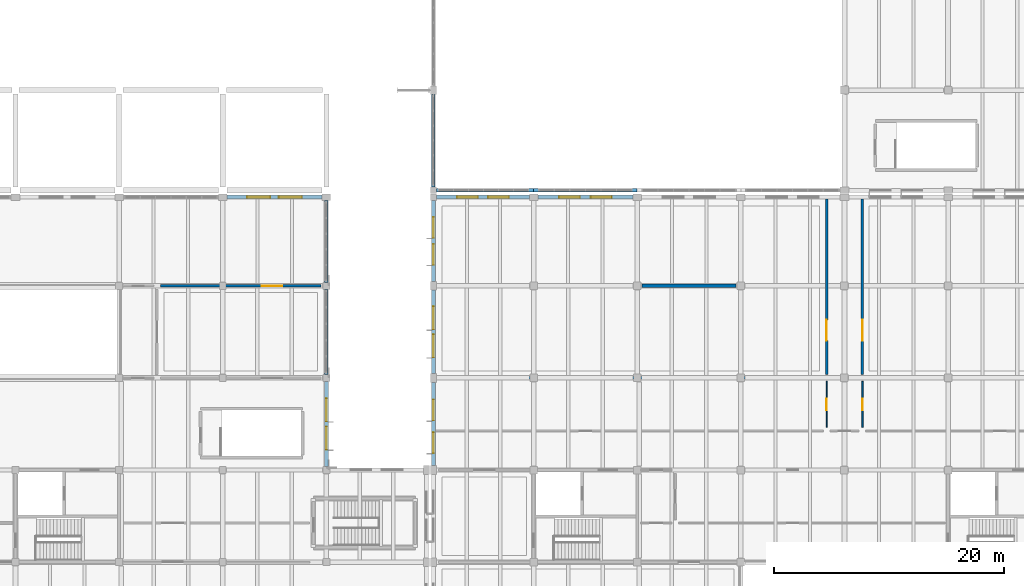
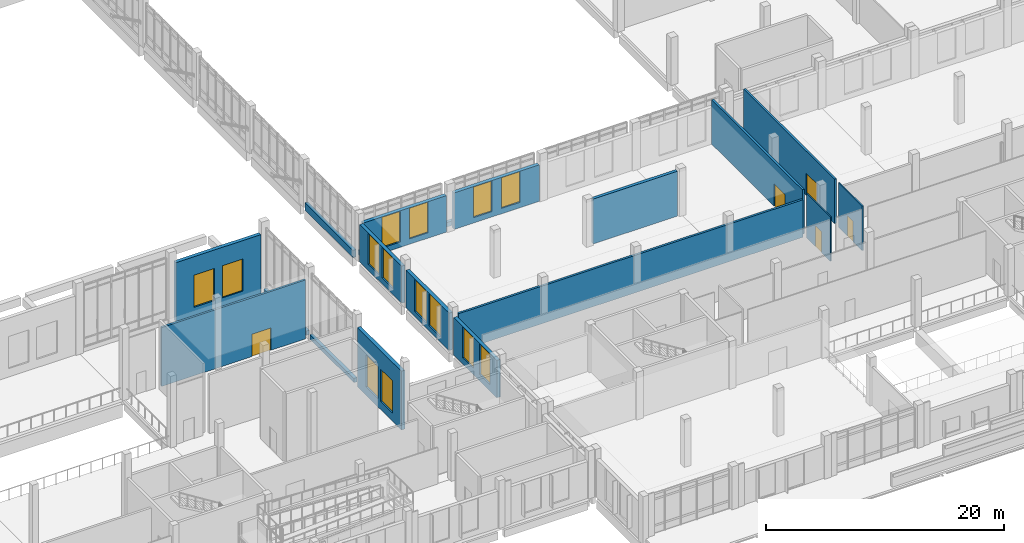
# One storey, part 85 of 110: 19 walls, 14 windows, 5 doors, 19 openings.
"""IFC4 building model written with IfcOpenShell, lengths in metres."""

from ifc_helpers import new_model, si_unit, direction, frame, frame_2d, origin, place, context, subcontext, project, spatial, rectangle, extrude, material, layer, layer_set, type_object, element, fill, save


model = new_model("IFC4")

# Units and contexts
model_context = context("Model", 3, precision=1e-05, world=origin(), true_north=direction((0.0, 1.0)))
body_context = subcontext(model_context, "Body", "Model", "MODEL_VIEW")
ifc_project = project(units=[si_unit("LENGTHUNIT", "METRE"), si_unit("AREAUNIT", "SQUARE_METRE"), si_unit("VOLUMEUNIT", "CUBIC_METRE"), si_unit("PLANEANGLEUNIT", "RADIAN"), si_unit("MASSUNIT", "GRAM", prefix="KILO")], contexts=[model_context])

# Site, building, storey
site_placement = place(None, origin())
site = spatial("IfcSite", under=ifc_project, at=site_placement, CompositionType="ELEMENT")
building_placement = place(site_placement, origin())
building = spatial("IfcBuilding", under=site, at=building_placement, Name="Zacnel Wholesale Market", CompositionType="ELEMENT")
storey_placement = place(building_placement, frame((0.0, 0.0, 6.300048828125)))
storey = spatial("IfcBuildingStorey", under=building, at=storey_placement, Name="L02", CompositionType="ELEMENT", Elevation=6.300048828125)

# Wall, opening, door
ifc_material_1 = material(Name="PIR insulated cold-store panel")
ifc_layer_1 = layer(ifc_material_1, 0.195068359375)
ifc_layer_set_1 = layer_set([ifc_layer_1], Name="PIR insulated cold-store panel")
wall_type_1 = type_object("IfcWallType", Name="WL-COLD-INT195", PredefinedType="STANDARD", material=ifc_layer_set_1)
wall_1_placement = place(storey_placement, frame((120.60009765625, 40.0, 0.0), z_axis=(0.0, 0.0, 1.0), x_axis=(1.0, 0.0, 0.0)))
wall_1 = element("IfcWall", 1, at=wall_1_placement, inside=storey, type_object=wall_type_1, Name="Interior partition L02-0100", PredefinedType="STANDARD", context=body_context, shape_type="SweptSolid", body=[
    extrude(rectangle(XDim=13.949951171875, YDim=0.195068359375, at=frame_2d((6.97509765625, 0.0))), origin(), (0.0, 0.0, 1.0), 6.0400390625),
])
opening_1_placement = place(wall_1_placement, frame((8.77490234375, 0.0, 0.0)))
opening_1 = element("IfcOpeningElement", 2, at=opening_1_placement, cuts=wall_1, Name="Opening FD-03", PredefinedType="OPENING", context=body_context, shape_type="SweptSolid", body=[
    extrude(rectangle(XDim=1.800048828125, YDim=2.300048828125, at=frame_2d((0.89990234375, 1.14990234375))), frame((0.0, 0.107421875, 0.0), z_axis=(0.0, -1.0, 0.0), x_axis=(1.0, 0.0, 0.0)), (0.0, 0.0, 1.0), 0.215087890625),
])
ifc_material_2 = material(Name="Galvanized steel", Category="steel")
door_type_1 = type_object("IfcDoorType", Name="DR-FIRE-COMP-1800", OperationType="NOTDEFINED", PredefinedType="DOOR", material=ifc_material_2)
door_1_placement = place(opening_1_placement, origin())
door_1 = element("IfcDoor", 3, at=door_1_placement, inside=storey, type_object=door_type_1, Name="Interior door L02-0080", OperationType="SINGLE_SWING_RIGHT", OverallHeight=2.300048828125, OverallWidth=1.800048828125, PredefinedType="DOOR", context=body_context, shape_type="SweptSolid", body=[
    extrude(rectangle(XDim=1.800048828125, YDim=2.300048828125, at=frame_2d((0.89990234375, 1.14990234375))), frame((0.0, 0.02490234375, 0.0), z_axis=(0.0, -1.0, 0.0), x_axis=(1.0, 0.0, 0.0)), (0.0, 0.0, 1.0), 0.050048828125),
])
fill(opening_1, door_1)

wall_2_placement = place(storey_placement, frame((181.550048828125, 32.300048828125, 0.0), z_axis=(0.0, 0.0, 1.0), x_axis=(0.0, 1.0, 0.0)))
wall_2 = element("IfcWall", 4, at=wall_2_placement, inside=storey, type_object=wall_type_1, Name="Interior partition L02-0120", PredefinedType="STANDARD", context=body_context, shape_type="SweptSolid", body=[
    extrude(rectangle(XDim=15.25, YDim=0.195068359375, at=frame_2d((7.625, 0.0))), origin(), (0.0, 0.0, 1.0), 4.56005859375),
])
opening_2_placement = place(wall_2_placement, frame((2.949951171875, 0.0, 0.0)))
opening_2 = element("IfcOpeningElement", 5, at=opening_2_placement, cuts=wall_2, Name="Opening FD-03", PredefinedType="OPENING", context=body_context, shape_type="SweptSolid", body=[
    extrude(rectangle(XDim=1.800048828125, YDim=2.300048828125, at=frame_2d((0.89990234375, 1.14990234375))), frame((0.0, 0.107421875, 0.0), z_axis=(0.0, -1.0, 0.0), x_axis=(1.0, 0.0, 0.0)), (0.0, 0.0, 1.0), 0.215087890625),
])
door_2_placement = place(opening_2_placement, origin())
door_2 = element("IfcDoor", 6, at=door_2_placement, inside=storey, type_object=door_type_1, Name="Interior door L02-0099", OperationType="SINGLE_SWING_LEFT", OverallHeight=2.300048828125, OverallWidth=1.800048828125, PredefinedType="DOOR", context=body_context, shape_type="SweptSolid", body=[
    extrude(rectangle(XDim=1.800048828125, YDim=2.300048828125, at=frame_2d((0.89990234375, 1.14990234375))), frame((0.0, 0.02490234375, 0.0), z_axis=(0.0, -1.0, 0.0), x_axis=(1.0, 0.0, 0.0)), (0.0, 0.0, 1.0), 0.050048828125),
])
fill(opening_2, door_2)

# Wall
ifc_material_3 = material(Name="PIR insulated cold-store panel")
ifc_layer_2 = layer(ifc_material_3, 0.2099609375)
ifc_layer_set_2 = layer_set([ifc_layer_2], Name="PIR insulated cold-store panel")
wall_type_2 = type_object("IfcWallType", Name="WL-COLD-INT210", PredefinedType="STANDARD", material=ifc_layer_set_2)
wall_3_placement = place(storey_placement, frame((144.75, 32.0, 0.0), z_axis=(0.0, 0.0, 1.0), x_axis=(1.0, 0.0, 0.0)))
element("IfcWall", 7, at=wall_3_placement, inside=storey, type_object=wall_type_2, Name="Interior partition L02-0117", PredefinedType="STANDARD", context=body_context, shape_type="SweptSolid", body=[
    extrude(rectangle(XDim=33.39990234375, YDim=0.2099609375, at=frame_2d((16.699951171875, 0.0))), origin(), (0.0, 0.0, 1.0), 3.849853515625),
])

# Wall, opening, door
wall_4_placement = place(storey_placement, frame((178.449951171875, 32.300048828125, 0.0), z_axis=(0.0, 0.0, 1.0), x_axis=(0.0, 1.0, 0.0)))
wall_4 = element("IfcWall", 8, at=wall_4_placement, inside=storey, type_object=wall_type_2, Name="Interior partition L02-0119", PredefinedType="STANDARD", context=body_context, shape_type="SweptSolid", body=[
    extrude(rectangle(XDim=15.25, YDim=0.2099609375, at=frame_2d((7.625, 0.0))), origin(), (0.0, 0.0, 1.0), 4.56005859375),
])
opening_3_placement = place(wall_4_placement, frame((2.949951171875, 0.0, 0.0)))
opening_3 = element("IfcOpeningElement", 9, at=opening_3_placement, cuts=wall_4, Name="Opening FD-03", PredefinedType="OPENING", context=body_context, shape_type="SweptSolid", body=[
    extrude(rectangle(XDim=1.800048828125, YDim=2.300048828125, at=frame_2d((0.89990234375, 1.14990234375))), frame((0.0, 0.114990234375, 0.0), z_axis=(0.0, -1.0, 0.0), x_axis=(1.0, 0.0, 0.0)), (0.0, 0.0, 1.0), 0.22998046875),
])
door_3_placement = place(opening_3_placement, origin())
door_3 = element("IfcDoor", 10, at=door_3_placement, inside=storey, type_object=door_type_1, Name="Interior door L02-0098", OperationType="SINGLE_SWING_RIGHT", OverallHeight=2.300048828125, OverallWidth=1.800048828125, PredefinedType="DOOR", context=body_context, shape_type="SweptSolid", body=[
    extrude(rectangle(XDim=1.800048828125, YDim=2.300048828125, at=frame_2d((0.89990234375, 1.14990234375))), frame((0.0, 0.02490234375, 0.0), z_axis=(0.0, -1.0, 0.0), x_axis=(1.0, 0.0, 0.0)), (0.0, 0.0, 1.0), 0.050048828125),
])
fill(opening_3, door_3)

# Walls
ifc_material_4 = material(Name="Precast concrete C40/50 (Cancun limestone aggregate)", Category="masonry")
ifc_layer_3 = layer(ifc_material_4, 0.300048828125)
ifc_layer_set_3 = layer_set([ifc_layer_3], Name="Precast concrete C40/50 (Cancun limestone aggregate)")
wall_type_3 = type_object("IfcWallType", Name="WL-EXT-LIME-300", PredefinedType="SOLIDWALL", material=ifc_layer_set_3)
wall_5_placement = place(storey_placement, frame((135.0, 32.300048828125, 0.0), z_axis=(0.0, 0.0, 1.0), x_axis=(0.0, 1.0, 0.0)))
element("IfcWall", 11, at=wall_5_placement, inside=storey, type_object=wall_type_3, Name="Curtain-wall limestone plinth L02-0014", PredefinedType="SOLIDWALL", context=body_context, shape_type="SweptSolid", body=[
    extrude(rectangle(XDim=7.39990234375, YDim=0.300048828125, at=frame_2d((3.699951171875, 0.0))), origin(), (0.0, 0.0, 1.0), 0.449951171875),
])
wall_6_placement = place(storey_placement, frame((135.0, 40.300048828125, 0.0), z_axis=(0.0, 0.0, 1.0), x_axis=(0.0, 1.0, 0.0)))
element("IfcWall", 12, at=wall_6_placement, inside=storey, type_object=wall_type_3, Name="Curtain-wall limestone plinth L02-0015", PredefinedType="SOLIDWALL", context=body_context, shape_type="SweptSolid", body=[
    extrude(rectangle(XDim=7.125, YDim=0.300048828125, at=frame_2d((3.5625, 0.0))), origin(), (0.0, 0.0, 1.0), 0.449951171875),
])
wall_7_placement = place(storey_placement, frame((144.574951171875, 48.300048828125, 0.0), z_axis=(0.0, 0.0, 1.0), x_axis=(1.0, 0.0, 0.0)))
element("IfcWall", 13, at=wall_7_placement, inside=storey, type_object=wall_type_3, Name="Curtain-wall limestone plinth L02-0037", PredefinedType="SOLIDWALL", context=body_context, shape_type="SweptSolid", body=[
    extrude(rectangle(XDim=8.425048828125, YDim=0.300048828125, at=frame_2d((4.21240234375, 0.0))), origin(), (0.0, 0.0, 1.0), 0.449951171875),
])
wall_8_placement = place(storey_placement, frame((153.0, 48.300048828125, 0.0), z_axis=(0.0, 0.0, 1.0), x_axis=(1.0, 0.0, 0.0)))
element("IfcWall", 14, at=wall_8_placement, inside=storey, type_object=wall_type_3, Name="Curtain-wall limestone plinth L02-0038", PredefinedType="SOLIDWALL", context=body_context, shape_type="SweptSolid", body=[
    extrude(rectangle(XDim=9.0, YDim=0.300048828125, at=frame_2d((4.5, 0.0))), origin(), (0.0, 0.0, 1.0), 0.449951171875),
])
wall_9_placement = place(storey_placement, frame((144.300048828125, 48.574951171875, -0.300048828125), z_axis=(0.0, 0.0, 1.0), x_axis=(0.0, 1.0, 0.0)))
element("IfcWall", 15, at=wall_9_placement, inside=storey, type_object=wall_type_3, Name="Curtain-wall limestone plinth L02-0041", PredefinedType="SOLIDWALL", context=body_context, shape_type="SweptSolid", body=[
    extrude(rectangle(XDim=8.050048828125, YDim=0.300048828125, at=frame_2d((4.02490234375, 0.0))), origin(), (0.0, 0.0, 1.0), 0.75),
])

# Wall, openings, windows
ifc_material_5 = material(Name="Precast concrete C40/50 (Cancun limestone aggregate)", Category="masonry")
ifc_layer_4 = layer(ifc_material_5, 0.340087890625)
ifc_layer_set_4 = layer_set([ifc_layer_4], Name="Precast concrete C40/50 (Cancun limestone aggregate)")
wall_type_4 = type_object("IfcWallType", Name="WL-EXT-LIME-340", PredefinedType="SOLIDWALL", material=ifc_layer_set_4)
wall_10_placement = place(storey_placement, frame((126.375, 47.699951171875, 0.0), z_axis=(0.0, 0.0, 1.0), x_axis=(1.0, 0.0, 0.0)))
wall_10 = element("IfcWall", 16, at=wall_10_placement, inside=storey, type_object=wall_type_4, Name="Exterior wall L02-0255", PredefinedType="SOLIDWALL", context=body_context, shape_type="SweptSolid", body=[
    extrude(rectangle(XDim=8.25, YDim=0.340087890625, at=frame_2d((4.125, 0.0))), origin(), (0.0, 0.0, 1.0), 6.0400390625),
])
opening_4_placement = place(wall_10_placement, frame((1.75, 0.0, 0.85009765625)))
opening_4 = element("IfcOpeningElement", 17, at=opening_4_placement, cuts=wall_10, Name="Opening W-02", PredefinedType="OPENING", context=body_context, shape_type="SweptSolid", body=[
    extrude(rectangle(XDim=2.0, YDim=3.300048828125, at=frame_2d((1.0, 1.64990234375))), frame((0.0, 0.179931640625, 0.0), z_axis=(0.0, -1.0, 0.0), x_axis=(1.0, 0.0, 0.0)), (0.0, 0.0, 1.0), 0.360107421875),
])
opening_5_placement = place(wall_10_placement, frame((4.5, 0.0, 0.85009765625)))
opening_5 = element("IfcOpeningElement", 18, at=opening_5_placement, cuts=wall_10, Name="Opening W-02", PredefinedType="OPENING", context=body_context, shape_type="SweptSolid", body=[
    extrude(rectangle(XDim=2.0, YDim=3.300048828125, at=frame_2d((1.0, 1.64990234375))), frame((0.0, 0.179931640625, 0.0), z_axis=(0.0, -1.0, 0.0), x_axis=(1.0, 0.0, 0.0)), (0.0, 0.0, 1.0), 0.360107421875),
])
ifc_material_6 = material(Name="Laminated hurricane-impact low-E insulated glass", Category="glass")
window_type_1 = type_object("IfcWindowType", Name="WIN-DEC-2000X3300", PartitioningType="DOUBLE_PANEL_VERTICAL", PredefinedType="WINDOW", material=ifc_material_6)
window_1_placement = place(opening_4_placement, origin())
window_1 = element("IfcWindow", 19, at=window_1_placement, inside=storey, type_object=window_type_1, Name="Window L02-0245", OverallHeight=3.300048828125, OverallWidth=2.0, PartitioningType="DOUBLE_PANEL_VERTICAL", PredefinedType="WINDOW", context=body_context, shape_type="SweptSolid", body=[
    extrude(rectangle(XDim=2.0, YDim=3.300048828125, at=frame_2d((1.0, 1.64990234375))), frame((0.0, 0.030029296875, 0.0), z_axis=(0.0, -1.0, 0.0), x_axis=(1.0, 0.0, 0.0)), (0.0, 0.0, 1.0), 0.06005859375),
])
fill(opening_4, window_1)
window_2_placement = place(opening_5_placement, origin())
window_2 = element("IfcWindow", 20, at=window_2_placement, inside=storey, type_object=window_type_1, Name="Window L02-0246", OverallHeight=3.300048828125, OverallWidth=2.0, PartitioningType="DOUBLE_PANEL_VERTICAL", PredefinedType="WINDOW", context=body_context, shape_type="SweptSolid", body=[
    extrude(rectangle(XDim=2.0, YDim=3.300048828125, at=frame_2d((1.0, 1.64990234375))), frame((0.0, 0.030029296875, 0.0), z_axis=(0.0, -1.0, 0.0), x_axis=(1.0, 0.0, 0.0)), (0.0, 0.0, 1.0), 0.06005859375),
])
fill(opening_5, window_2)

wall_11_placement = place(storey_placement, frame((135.0, 24.300048828125, 0.0), z_axis=(0.0, 0.0, 1.0), x_axis=(0.0, 1.0, 0.0)))
wall_11 = element("IfcWall", 21, at=wall_11_placement, inside=storey, type_object=wall_type_4, Name="Exterior wall L02-0258", PredefinedType="SOLIDWALL", context=body_context, shape_type="SweptSolid", body=[
    extrude(rectangle(XDim=7.39990234375, YDim=0.340087890625, at=frame_2d((3.699951171875, 0.0))), origin(), (0.0, 0.0, 1.0), 6.0400390625),
])
opening_6_placement = place(wall_11_placement, frame((1.467041015625, 0.0, 0.85009765625)))
opening_6 = element("IfcOpeningElement", 22, at=opening_6_placement, cuts=wall_11, Name="Opening W-02", PredefinedType="OPENING", context=body_context, shape_type="SweptSolid", body=[
    extrude(rectangle(XDim=2.0, YDim=3.300048828125, at=frame_2d((1.0, 1.64990234375))), frame((0.0, 0.179931640625, 0.0), z_axis=(0.0, -1.0, 0.0), x_axis=(1.0, 0.0, 0.0)), (0.0, 0.0, 1.0), 0.360107421875),
])
opening_7_placement = place(wall_11_placement, frame((3.93310546875, 0.0, 0.85009765625)))
opening_7 = element("IfcOpeningElement", 23, at=opening_7_placement, cuts=wall_11, Name="Opening W-02", PredefinedType="OPENING", context=body_context, shape_type="SweptSolid", body=[
    extrude(rectangle(XDim=2.0, YDim=3.300048828125, at=frame_2d((1.0, 1.64990234375))), frame((0.0, 0.179931640625, 0.0), z_axis=(0.0, -1.0, 0.0), x_axis=(1.0, 0.0, 0.0)), (0.0, 0.0, 1.0), 0.360107421875),
])
window_3_placement = place(opening_6_placement, origin())
window_3 = element("IfcWindow", 24, at=window_3_placement, inside=storey, type_object=window_type_1, Name="Window L02-0251", OverallHeight=3.300048828125, OverallWidth=2.0, PartitioningType="DOUBLE_PANEL_VERTICAL", PredefinedType="WINDOW", context=body_context, shape_type="SweptSolid", body=[
    extrude(rectangle(XDim=2.0, YDim=3.300048828125, at=frame_2d((1.0, 1.64990234375))), frame((0.0, 0.030029296875, 0.0), z_axis=(0.0, -1.0, 0.0), x_axis=(1.0, 0.0, 0.0)), (0.0, 0.0, 1.0), 0.06005859375),
])
fill(opening_6, window_3)
window_4_placement = place(opening_7_placement, origin())
window_4 = element("IfcWindow", 25, at=window_4_placement, inside=storey, type_object=window_type_1, Name="Window L02-0252", OverallHeight=3.300048828125, OverallWidth=2.0, PartitioningType="DOUBLE_PANEL_VERTICAL", PredefinedType="WINDOW", context=body_context, shape_type="SweptSolid", body=[
    extrude(rectangle(XDim=2.0, YDim=3.300048828125, at=frame_2d((1.0, 1.64990234375))), frame((0.0, 0.030029296875, 0.0), z_axis=(0.0, -1.0, 0.0), x_axis=(1.0, 0.0, 0.0)), (0.0, 0.0, 1.0), 0.06005859375),
])
fill(opening_7, window_4)

wall_12_placement = place(storey_placement, frame((144.574951171875, 47.699951171875, 0.0), z_axis=(0.0, 0.0, 1.0), x_axis=(1.0, 0.0, 0.0)))
wall_12 = element("IfcWall", 26, at=wall_12_placement, inside=storey, type_object=wall_type_4, Name="Exterior wall L02-0263", PredefinedType="SOLIDWALL", context=body_context, shape_type="SweptSolid", body=[
    extrude(rectangle(XDim=8.050048828125, YDim=0.340087890625, at=frame_2d((4.02490234375, 0.0))), origin(), (0.0, 0.0, 1.0), 3.739990234375),
])
opening_8_placement = place(wall_12_placement, frame((1.782958984375, 0.0, 0.550048828125)))
opening_8 = element("IfcOpeningElement", 27, at=opening_8_placement, cuts=wall_12, Name="Opening W-03", PredefinedType="OPENING", context=body_context, shape_type="SweptSolid", body=[
    extrude(rectangle(XDim=1.800048828125, YDim=3.14990234375, at=frame_2d((0.89990234375, 1.574951171875))), frame((0.0, 0.179931640625, 0.0), z_axis=(0.0, -1.0, 0.0), x_axis=(1.0, 0.0, 0.0)), (0.0, 0.0, 1.0), 0.360107421875),
])
opening_9_placement = place(wall_12_placement, frame((4.467041015625, 0.0, 0.550048828125)))
opening_9 = element("IfcOpeningElement", 28, at=opening_9_placement, cuts=wall_12, Name="Opening W-03", PredefinedType="OPENING", context=body_context, shape_type="SweptSolid", body=[
    extrude(rectangle(XDim=1.800048828125, YDim=3.14990234375, at=frame_2d((0.89990234375, 1.574951171875))), frame((0.0, 0.179931640625, 0.0), z_axis=(0.0, -1.0, 0.0), x_axis=(1.0, 0.0, 0.0)), (0.0, 0.0, 1.0), 0.360107421875),
])
ifc_material_7 = material(Name="Laminated hurricane-impact low-E insulated glass", Category="glass")
window_type_2 = type_object("IfcWindowType", Name="WIN-DEC-1800X3150", PartitioningType="DOUBLE_PANEL_VERTICAL", PredefinedType="WINDOW", material=ifc_material_7)
window_5_placement = place(opening_8_placement, origin())
window_5 = element("IfcWindow", 29, at=window_5_placement, inside=storey, type_object=window_type_2, Name="Window L02-0261", OverallHeight=3.14990234375, OverallWidth=1.800048828125, PartitioningType="DOUBLE_PANEL_VERTICAL", PredefinedType="WINDOW", context=body_context, shape_type="SweptSolid", body=[
    extrude(rectangle(XDim=1.800048828125, YDim=3.14990234375, at=frame_2d((0.89990234375, 1.574951171875))), frame((0.0, 0.030029296875, 0.0), z_axis=(0.0, -1.0, 0.0), x_axis=(1.0, 0.0, 0.0)), (0.0, 0.0, 1.0), 0.06005859375),
])
fill(opening_8, window_5)
window_6_placement = place(opening_9_placement, origin())
window_6 = element("IfcWindow", 30, at=window_6_placement, inside=storey, type_object=window_type_2, Name="Window L02-0262", OverallHeight=3.14990234375, OverallWidth=1.800048828125, PartitioningType="DOUBLE_PANEL_VERTICAL", PredefinedType="WINDOW", context=body_context, shape_type="SweptSolid", body=[
    extrude(rectangle(XDim=1.800048828125, YDim=3.14990234375, at=frame_2d((0.89990234375, 1.574951171875))), frame((0.0, 0.030029296875, 0.0), z_axis=(0.0, -1.0, 0.0), x_axis=(1.0, 0.0, 0.0)), (0.0, 0.0, 1.0), 0.06005859375),
])
fill(opening_9, window_6)

wall_13_placement = place(storey_placement, frame((153.375, 47.699951171875, 0.0), z_axis=(0.0, 0.0, 1.0), x_axis=(1.0, 0.0, 0.0)))
wall_13 = element("IfcWall", 31, at=wall_13_placement, inside=storey, type_object=wall_type_4, Name="Exterior wall L02-0264", PredefinedType="SOLIDWALL", context=body_context, shape_type="SweptSolid", body=[
    extrude(rectangle(XDim=8.25, YDim=0.340087890625, at=frame_2d((4.125, 0.0))), origin(), (0.0, 0.0, 1.0), 3.739990234375),
])
opening_10_placement = place(wall_13_placement, frame((1.85009765625, 0.0, 0.550048828125)))
opening_10 = element("IfcOpeningElement", 32, at=opening_10_placement, cuts=wall_13, Name="Opening W-03", PredefinedType="OPENING", context=body_context, shape_type="SweptSolid", body=[
    extrude(rectangle(XDim=1.800048828125, YDim=3.14990234375, at=frame_2d((0.89990234375, 1.574951171875))), frame((0.0, 0.179931640625, 0.0), z_axis=(0.0, -1.0, 0.0), x_axis=(1.0, 0.0, 0.0)), (0.0, 0.0, 1.0), 0.360107421875),
])
opening_11_placement = place(wall_13_placement, frame((4.60009765625, 0.0, 0.550048828125)))
opening_11 = element("IfcOpeningElement", 33, at=opening_11_placement, cuts=wall_13, Name="Opening W-03", PredefinedType="OPENING", context=body_context, shape_type="SweptSolid", body=[
    extrude(rectangle(XDim=1.800048828125, YDim=3.14990234375, at=frame_2d((0.89990234375, 1.574951171875))), frame((0.0, 0.179931640625, 0.0), z_axis=(0.0, -1.0, 0.0), x_axis=(1.0, 0.0, 0.0)), (0.0, 0.0, 1.0), 0.360107421875),
])
window_7_placement = place(opening_10_placement, origin())
window_7 = element("IfcWindow", 34, at=window_7_placement, inside=storey, type_object=window_type_2, Name="Window L02-0263", OverallHeight=3.14990234375, OverallWidth=1.800048828125, PartitioningType="DOUBLE_PANEL_VERTICAL", PredefinedType="WINDOW", context=body_context, shape_type="SweptSolid", body=[
    extrude(rectangle(XDim=1.800048828125, YDim=3.14990234375, at=frame_2d((0.89990234375, 1.574951171875))), frame((0.0, 0.030029296875, 0.0), z_axis=(0.0, -1.0, 0.0), x_axis=(1.0, 0.0, 0.0)), (0.0, 0.0, 1.0), 0.06005859375),
])
fill(opening_10, window_7)
window_8_placement = place(opening_11_placement, origin())
window_8 = element("IfcWindow", 35, at=window_8_placement, inside=storey, type_object=window_type_2, Name="Window L02-0264", OverallHeight=3.14990234375, OverallWidth=1.800048828125, PartitioningType="DOUBLE_PANEL_VERTICAL", PredefinedType="WINDOW", context=body_context, shape_type="SweptSolid", body=[
    extrude(rectangle(XDim=1.800048828125, YDim=3.14990234375, at=frame_2d((0.89990234375, 1.574951171875))), frame((0.0, 0.030029296875, 0.0), z_axis=(0.0, -1.0, 0.0), x_axis=(1.0, 0.0, 0.0)), (0.0, 0.0, 1.0), 0.06005859375),
])
fill(opening_11, window_8)

wall_14_placement = place(storey_placement, frame((144.300048828125, 24.375, 0.0), z_axis=(0.0, 0.0, 1.0), x_axis=(0.0, 1.0, 0.0)))
wall_14 = element("IfcWall", 36, at=wall_14_placement, inside=storey, type_object=wall_type_4, Name="Exterior wall L02-0274", PredefinedType="SOLIDWALL", context=body_context, shape_type="SweptSolid", body=[
    extrude(rectangle(XDim=7.25, YDim=0.340087890625, at=frame_2d((3.625, 0.0))), origin(), (0.0, 0.0, 1.0), 3.849853515625),
])
opening_12_placement = place(wall_14_placement, frame((1.10400390625, 0.0, 0.659912109375)))
opening_12 = element("IfcOpeningElement", 37, at=opening_12_placement, cuts=wall_14, Name="Opening W-03", PredefinedType="OPENING", context=body_context, shape_type="SweptSolid", body=[
    extrude(rectangle(XDim=1.800048828125, YDim=3.14990234375, at=frame_2d((0.89990234375, 1.574951171875))), frame((0.0, 0.179931640625, 0.0), z_axis=(0.0, -1.0, 0.0), x_axis=(1.0, 0.0, 0.0)), (0.0, 0.0, 1.0), 0.360107421875),
])
opening_13_placement = place(wall_14_placement, frame((3.93310546875, 0.0, 0.659912109375)))
opening_13 = element("IfcOpeningElement", 38, at=opening_13_placement, cuts=wall_14, Name="Opening W-03", PredefinedType="OPENING", context=body_context, shape_type="SweptSolid", body=[
    extrude(rectangle(XDim=1.800048828125, YDim=3.14990234375, at=frame_2d((0.89990234375, 1.574951171875))), frame((0.0, 0.179931640625, 0.0), z_axis=(0.0, -1.0, 0.0), x_axis=(1.0, 0.0, 0.0)), (0.0, 0.0, 1.0), 0.360107421875),
])
window_9_placement = place(opening_12_placement, origin())
window_9 = element("IfcWindow", 39, at=window_9_placement, inside=storey, type_object=window_type_2, Name="Window L02-0283", OverallHeight=3.14990234375, OverallWidth=1.800048828125, PartitioningType="DOUBLE_PANEL_VERTICAL", PredefinedType="WINDOW", context=body_context, shape_type="SweptSolid", body=[
    extrude(rectangle(XDim=1.800048828125, YDim=3.14990234375, at=frame_2d((0.89990234375, 1.574951171875))), frame((0.0, 0.030029296875, 0.0), z_axis=(0.0, -1.0, 0.0), x_axis=(1.0, 0.0, 0.0)), (0.0, 0.0, 1.0), 0.06005859375),
])
fill(opening_12, window_9)
window_10_placement = place(opening_13_placement, origin())
window_10 = element("IfcWindow", 40, at=window_10_placement, inside=storey, type_object=window_type_2, Name="Window L02-0284", OverallHeight=3.14990234375, OverallWidth=1.800048828125, PartitioningType="DOUBLE_PANEL_VERTICAL", PredefinedType="WINDOW", context=body_context, shape_type="SweptSolid", body=[
    extrude(rectangle(XDim=1.800048828125, YDim=3.14990234375, at=frame_2d((0.89990234375, 1.574951171875))), frame((0.0, 0.030029296875, 0.0), z_axis=(0.0, -1.0, 0.0), x_axis=(1.0, 0.0, 0.0)), (0.0, 0.0, 1.0), 0.06005859375),
])
fill(opening_13, window_10)

wall_15_placement = place(storey_placement, frame((144.300048828125, 32.375, 0.0), z_axis=(0.0, 0.0, 1.0), x_axis=(0.0, 1.0, 0.0)))
wall_15 = element("IfcWall", 41, at=wall_15_placement, inside=storey, type_object=wall_type_4, Name="Exterior wall L02-0275", PredefinedType="SOLIDWALL", context=body_context, shape_type="SweptSolid", body=[
    extrude(rectangle(XDim=7.25, YDim=0.340087890625, at=frame_2d((3.625, 0.0))), origin(), (0.0, 0.0, 1.0), 3.849853515625),
])
opening_14_placement = place(wall_15_placement, frame((1.4169921875, 0.0, 0.510009765625)))
opening_14 = element("IfcOpeningElement", 42, at=opening_14_placement, cuts=wall_15, Name="Opening W-02", PredefinedType="OPENING", context=body_context, shape_type="SweptSolid", body=[
    extrude(rectangle(XDim=2.0, YDim=3.300048828125, at=frame_2d((1.0, 1.64990234375))), frame((0.0, 0.179931640625, 0.0), z_axis=(0.0, -1.0, 0.0), x_axis=(1.0, 0.0, 0.0)), (0.0, 0.0, 1.0), 0.360107421875),
])
opening_15_placement = place(wall_15_placement, frame((3.8330078125, 0.0, 0.510009765625)))
opening_15 = element("IfcOpeningElement", 43, at=opening_15_placement, cuts=wall_15, Name="Opening W-02", PredefinedType="OPENING", context=body_context, shape_type="SweptSolid", body=[
    extrude(rectangle(XDim=2.0, YDim=3.300048828125, at=frame_2d((1.0, 1.64990234375))), frame((0.0, 0.179931640625, 0.0), z_axis=(0.0, -1.0, 0.0), x_axis=(1.0, 0.0, 0.0)), (0.0, 0.0, 1.0), 0.360107421875),
])
window_11_placement = place(opening_14_placement, origin())
window_11 = element("IfcWindow", 44, at=window_11_placement, inside=storey, type_object=window_type_1, Name="Window L02-0285", OverallHeight=3.300048828125, OverallWidth=2.0, PartitioningType="DOUBLE_PANEL_VERTICAL", PredefinedType="WINDOW", context=body_context, shape_type="SweptSolid", body=[
    extrude(rectangle(XDim=2.0, YDim=3.300048828125, at=frame_2d((1.0, 1.64990234375))), frame((0.0, 0.030029296875, 0.0), z_axis=(0.0, -1.0, 0.0), x_axis=(1.0, 0.0, 0.0)), (0.0, 0.0, 1.0), 0.06005859375),
])
fill(opening_14, window_11)
window_12_placement = place(opening_15_placement, origin())
window_12 = element("IfcWindow", 45, at=window_12_placement, inside=storey, type_object=window_type_1, Name="Window L02-0286", OverallHeight=3.300048828125, OverallWidth=2.0, PartitioningType="DOUBLE_PANEL_VERTICAL", PredefinedType="WINDOW", context=body_context, shape_type="SweptSolid", body=[
    extrude(rectangle(XDim=2.0, YDim=3.300048828125, at=frame_2d((1.0, 1.64990234375))), frame((0.0, 0.030029296875, 0.0), z_axis=(0.0, -1.0, 0.0), x_axis=(1.0, 0.0, 0.0)), (0.0, 0.0, 1.0), 0.06005859375),
])
fill(opening_15, window_12)

wall_16_placement = place(storey_placement, frame((144.300048828125, 40.375, 0.0), z_axis=(0.0, 0.0, 1.0), x_axis=(0.0, 1.0, 0.0)))
wall_16 = element("IfcWall", 46, at=wall_16_placement, inside=storey, type_object=wall_type_4, Name="Exterior wall L02-0276", PredefinedType="SOLIDWALL", context=body_context, shape_type="SweptSolid", body=[
    extrude(rectangle(XDim=7.050048828125, YDim=0.340087890625, at=frame_2d((3.52490234375, 0.0))), origin(), (0.0, 0.0, 1.0), 3.81005859375),
])
opening_16_placement = place(wall_16_placement, frame((1.449951171875, 0.0, 0.6201171875)))
opening_16 = element("IfcOpeningElement", 47, at=opening_16_placement, cuts=wall_16, Name="Opening W-03", PredefinedType="OPENING", context=body_context, shape_type="SweptSolid", body=[
    extrude(rectangle(XDim=1.800048828125, YDim=3.14990234375, at=frame_2d((0.89990234375, 1.574951171875))), frame((0.0, 0.179931640625, 0.0), z_axis=(0.0, -1.0, 0.0), x_axis=(1.0, 0.0, 0.0)), (0.0, 0.0, 1.0), 0.360107421875),
])
opening_17_placement = place(wall_16_placement, frame((3.800048828125, 0.0, 0.6201171875)))
opening_17 = element("IfcOpeningElement", 48, at=opening_17_placement, cuts=wall_16, Name="Opening W-03", PredefinedType="OPENING", context=body_context, shape_type="SweptSolid", body=[
    extrude(rectangle(XDim=1.800048828125, YDim=3.14990234375, at=frame_2d((0.89990234375, 1.574951171875))), frame((0.0, 0.179931640625, 0.0), z_axis=(0.0, -1.0, 0.0), x_axis=(1.0, 0.0, 0.0)), (0.0, 0.0, 1.0), 0.360107421875),
])
window_13_placement = place(opening_16_placement, origin())
window_13 = element("IfcWindow", 49, at=window_13_placement, inside=storey, type_object=window_type_2, Name="Window L02-0287", OverallHeight=3.14990234375, OverallWidth=1.800048828125, PartitioningType="DOUBLE_PANEL_VERTICAL", PredefinedType="WINDOW", context=body_context, shape_type="SweptSolid", body=[
    extrude(rectangle(XDim=1.800048828125, YDim=3.14990234375, at=frame_2d((0.89990234375, 1.574951171875))), frame((0.0, 0.030029296875, 0.0), z_axis=(0.0, -1.0, 0.0), x_axis=(1.0, 0.0, 0.0)), (0.0, 0.0, 1.0), 0.06005859375),
])
fill(opening_16, window_13)
window_14_placement = place(opening_17_placement, origin())
window_14 = element("IfcWindow", 50, at=window_14_placement, inside=storey, type_object=window_type_2, Name="Window L02-0288", OverallHeight=3.14990234375, OverallWidth=1.800048828125, PartitioningType="DOUBLE_PANEL_VERTICAL", PredefinedType="WINDOW", context=body_context, shape_type="SweptSolid", body=[
    extrude(rectangle(XDim=1.800048828125, YDim=3.14990234375, at=frame_2d((0.89990234375, 1.574951171875))), frame((0.0, 0.030029296875, 0.0), z_axis=(0.0, -1.0, 0.0), x_axis=(1.0, 0.0, 0.0)), (0.0, 0.0, 1.0), 0.06005859375),
])
fill(opening_17, window_14)

# Wall, opening, door
ifc_material_8 = material(Name="Moisture-resistant gypsum board partition")
ifc_layer_5 = layer(ifc_material_8, 0.10009765625)
ifc_layer_set_5 = layer_set([ifc_layer_5], Name="Moisture-resistant gypsum board partition")
wall_type_5 = type_object("IfcWallType", Name="WL-PART-GYP100", PredefinedType="PARTITIONING", material=ifc_layer_set_5)
wall_17_placement = place(storey_placement, frame((178.449951171875, 27.699951171875, 0.0), z_axis=(0.0, 0.0, 1.0), x_axis=(0.0, 1.0, 0.0)))
wall_17 = element("IfcWall", 51, at=wall_17_placement, inside=storey, type_object=wall_type_5, Name="Interior partition L02-0116", PredefinedType="PARTITIONING", context=body_context, shape_type="SweptSolid", body=[
    extrude(rectangle(XDim=4.0, YDim=0.10009765625, at=frame_2d((2.0, 0.0))), origin(), (0.0, 0.0, 1.0), 4.56005859375),
])
opening_18_placement = place(wall_17_placement, frame((1.5, 0.0, 0.0)))
opening_18 = element("IfcOpeningElement", 52, at=opening_18_placement, cuts=wall_17, Name="Opening ID-03", PredefinedType="OPENING", context=body_context, shape_type="SweptSolid", body=[
    extrude(rectangle(XDim=1.0, YDim=2.14990234375, at=frame_2d((0.5, 1.074951171875))), frame((0.0, 0.06005859375, 0.0), z_axis=(0.0, -1.0, 0.0), x_axis=(1.0, 0.0, 0.0)), (0.0, 0.0, 1.0), 0.1201171875),
])
ifc_material_9 = material(Name="Solid-core tropical hardwood door", Category="wood")
door_type_2 = type_object("IfcDoorType", Name="DR-OFF-SGL-1000", OperationType="NOTDEFINED", PredefinedType="DOOR", material=ifc_material_9)
door_4_placement = place(opening_18_placement, origin())
door_4 = element("IfcDoor", 53, at=door_4_placement, inside=storey, type_object=door_type_2, Name="Interior door L02-0096", OperationType="SINGLE_SWING_RIGHT", OverallHeight=2.14990234375, OverallWidth=1.0, PredefinedType="DOOR", context=body_context, shape_type="SweptSolid", body=[
    extrude(rectangle(XDim=1.0, YDim=2.14990234375, at=frame_2d((0.5, 1.074951171875))), frame((0.0, 0.02490234375, 0.0), z_axis=(0.0, -1.0, 0.0), x_axis=(1.0, 0.0, 0.0)), (0.0, 0.0, 1.0), 0.050048828125),
])
fill(opening_18, door_4)

ifc_material_10 = material(Name="Moisture-resistant gypsum board partition")
ifc_layer_6 = layer(ifc_material_10, 0.125)
ifc_layer_set_6 = layer_set([ifc_layer_6], Name="Moisture-resistant gypsum board partition")
wall_type_6 = type_object("IfcWallType", Name="WL-PART-GYP125", PredefinedType="PARTITIONING", material=ifc_layer_set_6)
wall_18_placement = place(storey_placement, frame((181.550048828125, 27.699951171875, 0.0), z_axis=(0.0, 0.0, 1.0), x_axis=(0.0, 1.0, 0.0)))
wall_18 = element("IfcWall", 54, at=wall_18_placement, inside=storey, type_object=wall_type_6, Name="Interior partition L02-0118", PredefinedType="PARTITIONING", context=body_context, shape_type="SweptSolid", body=[
    extrude(rectangle(XDim=4.0, YDim=0.125, at=frame_2d((2.0, 0.0))), origin(), (0.0, 0.0, 1.0), 4.56005859375),
])
opening_19_placement = place(wall_18_placement, frame((1.510009765625, 0.0, 0.0)))
opening_19 = element("IfcOpeningElement", 55, at=opening_19_placement, cuts=wall_18, Name="Opening ID-04", PredefinedType="OPENING", context=body_context, shape_type="SweptSolid", body=[
    extrude(rectangle(XDim=0.97998046875, YDim=2.1201171875, at=frame_2d((0.489990234375, 1.06005859375))), frame((0.0, 0.072509765625, 0.0), z_axis=(0.0, -1.0, 0.0), x_axis=(1.0, 0.0, 0.0)), (0.0, 0.0, 1.0), 0.14501953125),
])
ifc_material_11 = material(Name="Solid-core tropical hardwood door", Category="wood")
door_type_3 = type_object("IfcDoorType", Name="DR-OFF-SGL-980", OperationType="NOTDEFINED", PredefinedType="DOOR", material=ifc_material_11)
door_5_placement = place(opening_19_placement, origin())
door_5 = element("IfcDoor", 56, at=door_5_placement, inside=storey, type_object=door_type_3, Name="Interior door L02-0097", OperationType="SINGLE_SWING_LEFT", OverallHeight=2.1201171875, OverallWidth=0.97998046875, PredefinedType="DOOR", context=body_context, shape_type="SweptSolid", body=[
    extrude(rectangle(XDim=0.97998046875, YDim=2.1201171875, at=frame_2d((0.489990234375, 1.06005859375))), frame((0.0, 0.02490234375, 0.0), z_axis=(0.0, -1.0, 0.0), x_axis=(1.0, 0.0, 0.0)), (0.0, 0.0, 1.0), 0.050048828125),
])
fill(opening_19, door_5)

# Wall
ifc_material_12 = material(Name="Concrete C40/50", Category="concrete")
ifc_layer_7 = layer(ifc_material_12, 0.300048828125)
ifc_layer_set_7 = layer_set([ifc_layer_7], Name="Concrete C40/50")
wall_type_7 = type_object("IfcWallType", Name="WL-SHEAR-300", PredefinedType="SHEAR", material=ifc_layer_set_7)
wall_19_placement = place(storey_placement, frame((162.419921875, 40.0, 0.0), z_axis=(0.0, 0.0, 1.0), x_axis=(1.0, 0.0, 0.0)))
element("IfcWall", 57, at=wall_19_placement, inside=storey, type_object=wall_type_7, Name="Lateral RC shear wall 08", PredefinedType="SHEAR", context=body_context, shape_type="SweptSolid", body=[
    extrude(rectangle(XDim=8.16015625, YDim=0.300048828125, at=frame_2d((4.080078125, 0.0))), origin(), (0.0, 0.0, 1.0), 4.599853515625),
])

save(model, "model.ifc")
